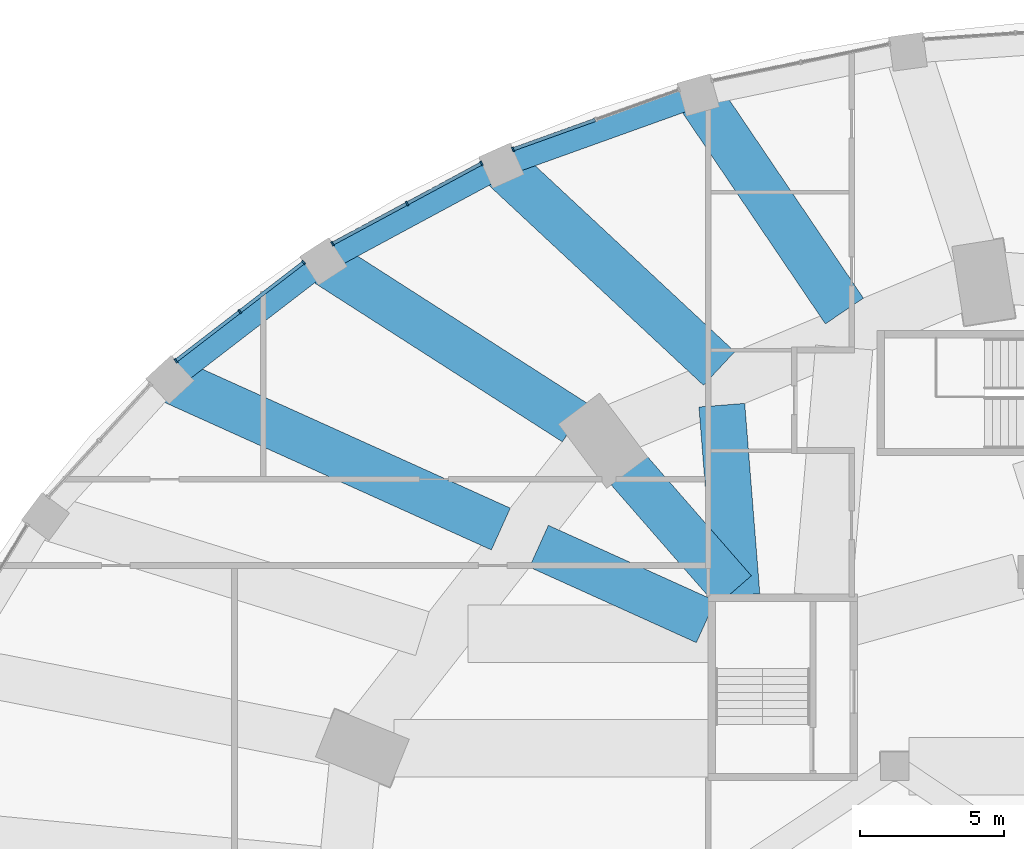
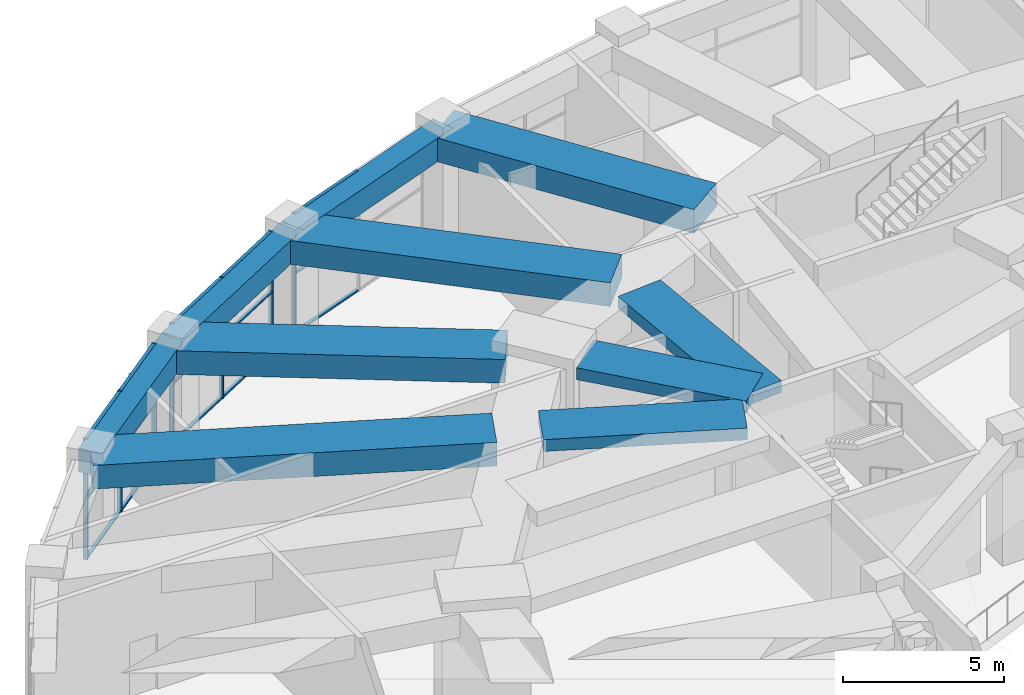
# One storey, part 10 of 32: 22 members, 10 beams, 3 elements without a shape of their own.
"""IFC4 building model written with IfcOpenShell, lengths in metres."""

from ifc_helpers import new_model, si_unit, direction, frame, origin, origin_2d, place, context, subcontext, project, spatial, rectangle, extrude, material, material_profile, profile_set, type_object, element, aggregate, save


model = new_model("IFC4")

# Units and contexts
model_context = context("Model", 3, precision=1e-05, world=origin(), true_north=direction((0.0, 1.0)))
body_context = subcontext(model_context, "Body", "Model", "MODEL_VIEW")
ifc_project = project(units=[si_unit("LENGTHUNIT", "METRE"), si_unit("AREAUNIT", "SQUARE_METRE"), si_unit("VOLUMEUNIT", "CUBIC_METRE"), si_unit("PLANEANGLEUNIT", "RADIAN"), si_unit("MASSUNIT", "GRAM", prefix="KILO")], contexts=[model_context])

# Site, building, storey
site_placement = place(None, origin())
site = spatial("IfcSite", under=ifc_project, at=site_placement, CompositionType="ELEMENT")
building_placement = place(site_placement, origin())
building = spatial("IfcBuilding", under=site, at=building_placement, Name="Taillehof Tower", CompositionType="ELEMENT")
storey_placement = place(building_placement, frame((0.0, 0.0, 7.5)))
storey = spatial("IfcBuildingStorey", under=building, at=storey_placement, Name="L01", CompositionType="ELEMENT", Elevation=7.5)

# Beams
ifc_material_1 = material(Name="Concrete C50/60", Category="concrete")
ifc_material_profile_1 = material_profile(ifc_material_1, rectangle(XDim=0.800048828125, YDim=0.89990234375, at=origin_2d()), Name="RC 800x900")
ifc_profile_set_1 = profile_set([ifc_material_profile_1], Name="Concrete C50/60")
beam_type_1 = type_object("IfcBeamType", Name="Podium edge beam C50/60 800x900", PredefinedType="BEAM", material=ifc_profile_set_1)
beam_1_placement = place(storey_placement, frame((-14.84375, 31.3857421875, 4.139892578125), z_axis=(-0.941227460002, -0.337773398209, 0.0), x_axis=(0.337773398209, -0.941227460002, 0.0)))
element("IfcBeam", 1, at=beam_1_placement, inside=storey, type_object=beam_type_1, Name="Podium edge beam PB12", PredefinedType="BEAM", context=body_context, shape_type="SweptSolid", body=[
    extrude(rectangle(XDim=0.800048828125, YDim=0.89990234375, at=origin_2d()), origin(), (0.0, 0.0, 1.0), 7.284423828125),
])
beam_2_placement = place(storey_placement, frame((-21.699951171875, 28.92529296875, 4.139892578125), z_axis=(-0.880322944269, -0.474374866317, 0.0), x_axis=(0.474374866317, -0.880322944269, 0.0)))
element("IfcBeam", 2, at=beam_2_placement, inside=storey, type_object=beam_type_1, Name="Podium edge beam PB13", PredefinedType="BEAM", context=body_context, shape_type="SweptSolid", body=[
    extrude(rectangle(XDim=0.800048828125, YDim=0.89990234375, at=origin_2d()), origin(), (0.0, 0.0, 1.0), 7.03955078125),
])
beam_3_placement = place(storey_placement, frame((-27.89697265625, 25.5859375, 4.139892578125), z_axis=(-0.79247741179, -0.609901263978, 0.0), x_axis=(0.609901263978, -0.79247741179, 0.0)))
element("IfcBeam", 3, at=beam_3_placement, inside=storey, type_object=beam_type_1, Name="Podium edge beam PB14", PredefinedType="BEAM", context=body_context, shape_type="SweptSolid", body=[
    extrude(rectangle(XDim=0.800048828125, YDim=0.89990234375, at=origin_2d()), origin(), (0.0, 0.0, 1.0), 6.750244140625),
])
ifc_material_2 = material(Name="Concrete C50/60", Category="concrete")
ifc_material_profile_2 = material_profile(ifc_material_2, rectangle(XDim=1.60009765625, YDim=0.89990234375, at=origin_2d()), Name="RC 1600x900")
ifc_profile_set_2 = profile_set([ifc_material_profile_2], Name="Concrete C50/60")
beam_type_2 = type_object("IfcBeamType", Name="Podium radial beam C50/60 1600x900", PredefinedType="BEAM", material=ifc_profile_set_2)
beam_4_placement = place(storey_placement, frame((-14.84375, 31.3857421875, 4.139892578125), z_axis=(0.56038581489, -0.828231693712, 0.0), x_axis=(0.828231693712, 0.56038581489, 0.0)))
element("IfcBeam", 4, at=beam_4_placement, inside=storey, type_object=beam_type_2, Name="Podium radial beam PR12", PredefinedType="BEAM", context=body_context, shape_type="SweptSolid", body=[
    extrude(rectangle(XDim=1.60009765625, YDim=0.89990234375, at=origin_2d()), origin(), (0.0, 0.0, 1.0), 9.085693359375),
])
beam_5_placement = place(storey_placement, frame((-21.699951171875, 28.92529296875, 4.139892578125), z_axis=(0.73163305696, -0.681698665074, 0.0), x_axis=(0.681698665074, 0.73163305696, 0.0)))
element("IfcBeam", 5, at=beam_5_placement, inside=storey, type_object=beam_type_2, Name="Podium radial beam PR13", PredefinedType="BEAM", context=body_context, shape_type="SweptSolid", body=[
    extrude(rectangle(XDim=1.60009765625, YDim=0.89990234375, at=origin_2d()), origin(), (0.0, 0.0, 1.0), 10.365234375),
])
beam_6_placement = place(storey_placement, frame((-27.89697265625, 25.5859375, 4.139892578125), z_axis=(0.841841098356, -0.539725453465, 0.0), x_axis=(0.539725453465, 0.841841098356, 0.0)))
element("IfcBeam", 6, at=beam_6_placement, inside=storey, type_object=beam_type_2, Name="Podium radial beam PR14", PredefinedType="BEAM", context=body_context, shape_type="SweptSolid", body=[
    extrude(rectangle(XDim=1.60009765625, YDim=0.89990234375, at=origin_2d()), origin(), (0.0, 0.0, 1.0), 10.39306640625),
])
beam_7_placement = place(storey_placement, frame((-33.246337890625, 21.468994140625, 4.139892578125), z_axis=(0.911451646907, -0.411407213538, 0.0), x_axis=(0.411407213538, 0.911451646907, 0.0)))
element("IfcBeam", 7, at=beam_7_placement, inside=storey, type_object=beam_type_2, Name="Podium radial beam PR15", PredefinedType="BEAM", context=body_context, shape_type="SweptSolid", body=[
    extrude(rectangle(XDim=1.60009765625, YDim=0.89990234375, at=origin_2d()), origin(), (0.0, 0.0, 1.0), 12.645263671875),
])

# Curtain wall, member
ifc_material_3 = material(Name="Aluminium curtain wall with Clear low-emissivity double glazing", Category="aluminium")
curtain_wall_type = type_object("IfcCurtainWallType", Name="Podium window wall curtain wall", PredefinedType="USERDEFINED", material=ifc_material_3)
curtain_wall_1_placement = place(storey_placement, origin())
curtain_wall_1 = element("IfcCurtainWall", 8, at=curtain_wall_1_placement, inside=storey, type_object=curtain_wall_type, Name="Podium window wall L01 bay 12", ObjectType="WINDOW WALL", PredefinedType="USERDEFINED")
ifc_material_4 = material(Name="Aluminium mullion", Category="aluminium")
ifc_material_profile_3 = material_profile(ifc_material_4, rectangle(XDim=0.159912109375, YDim=0.06005859375, at=origin_2d()), Name="AL 60x160")
ifc_profile_set_3 = profile_set([ifc_material_profile_3], Name="Aluminium mullion")
member_type_1 = type_object("IfcMemberType", Name="Podium window wall mullion 60x160", PredefinedType="MULLION", material=ifc_profile_set_3)
member_1_placement = place(storey_placement, frame((-21.29638671875, 29.4931640625, 0.0), z_axis=(0.0, 0.0, 1.0), x_axis=(0.337798502496, -0.94121845058, 0.0)))
member_1 = element("IfcMember", 9, at=member_1_placement, type_object=member_type_1, Name="CT212 mullion 3", PredefinedType="MULLION", context=body_context, shape_type="SweptSolid", body=[
    extrude(rectangle(XDim=0.159912109375, YDim=0.06005859375, at=origin_2d()), origin(), (0.0, 0.0, 1.0), 4.590087890625),
])

# Curtain wall, members
curtain_wall_2_placement = place(storey_placement, origin())
curtain_wall_2 = element("IfcCurtainWall", 10, at=curtain_wall_2_placement, inside=storey, type_object=curtain_wall_type, Name="Podium window wall L01 bay 13", ObjectType="WINDOW WALL", PredefinedType="USERDEFINED")
member_2_placement = place(storey_placement, frame((-22.392333984375, 29.004638671875, 0.0), z_axis=(0.0, 0.0, 1.0), x_axis=(0.474414781992, -0.880301433958, 0.0)))
member_2 = element("IfcMember", 11, at=member_2_placement, type_object=member_type_1, Name="CT213 mullion 1", PredefinedType="MULLION", context=body_context, shape_type="SweptSolid", body=[
    extrude(rectangle(XDim=0.159912109375, YDim=0.06005859375, at=origin_2d()), origin(), (0.0, 0.0, 1.0), 4.590087890625),
])
member_3_placement = place(storey_placement, frame((-24.98828125, 27.60546875, 0.0), z_axis=(0.0, 0.0, 1.0), x_axis=(0.474414781992, -0.880301433958, 0.0)))
member_3 = element("IfcMember", 12, at=member_3_placement, type_object=member_type_1, Name="CT213 mullion 2", PredefinedType="MULLION", context=body_context, shape_type="SweptSolid", body=[
    extrude(rectangle(XDim=0.159912109375, YDim=0.06005859375, at=origin_2d()), origin(), (0.0, 0.0, 1.0), 4.590087890625),
])
member_4_placement = place(storey_placement, frame((-27.584228515625, 26.20654296875, 0.0), z_axis=(0.0, 0.0, 1.0), x_axis=(0.474414781992, -0.880301433958, 0.0)))
member_4 = element("IfcMember", 13, at=member_4_placement, type_object=member_type_1, Name="CT213 mullion 3", PredefinedType="MULLION", context=body_context, shape_type="SweptSolid", body=[
    extrude(rectangle(XDim=0.159912109375, YDim=0.06005859375, at=origin_2d()), origin(), (0.0, 0.0, 1.0), 4.590087890625),
])

curtain_wall_3_placement = place(storey_placement, origin())
curtain_wall_3 = element("IfcCurtainWall", 14, at=curtain_wall_3_placement, inside=storey, type_object=curtain_wall_type, Name="Podium window wall L01 bay 14", ObjectType="WINDOW WALL", PredefinedType="USERDEFINED")
member_5_placement = place(storey_placement, frame((-28.59130859375, 25.5537109375, 0.0), z_axis=(0.0, 0.0, 1.0), x_axis=(0.60993206075, -0.792453709228, 0.0)))
member_5 = element("IfcMember", 15, at=member_5_placement, type_object=member_type_1, Name="CT214 mullion 1", PredefinedType="MULLION", context=body_context, shape_type="SweptSolid", body=[
    extrude(rectangle(XDim=0.159912109375, YDim=0.06005859375, at=origin_2d()), origin(), (0.0, 0.0, 1.0), 4.590087890625),
])
member_6_placement = place(storey_placement, frame((-30.8154296875, 23.842041015625, 0.0), z_axis=(0.0, 0.0, 1.0), x_axis=(0.60993206075, -0.792453709228, 0.0)))
member_6 = element("IfcMember", 16, at=member_6_placement, type_object=member_type_1, Name="CT214 mullion 2", PredefinedType="MULLION", context=body_context, shape_type="SweptSolid", body=[
    extrude(rectangle(XDim=0.159912109375, YDim=0.06005859375, at=origin_2d()), origin(), (0.0, 0.0, 1.0), 4.590087890625),
])
member_7_placement = place(storey_placement, frame((-33.03955078125, 22.130126953125, 0.0), z_axis=(0.0, 0.0, 1.0), x_axis=(0.60993206075, -0.792453709228, 0.0)))
member_7 = element("IfcMember", 17, at=member_7_placement, type_object=member_type_1, Name="CT214 mullion 3", PredefinedType="MULLION", context=body_context, shape_type="SweptSolid", body=[
    extrude(rectangle(XDim=0.159912109375, YDim=0.06005859375, at=origin_2d()), origin(), (0.0, 0.0, 1.0), 4.590087890625),
])

# Member
ifc_material_5 = material(Name="Aluminium transom", Category="aluminium")
ifc_material_profile_4 = material_profile(ifc_material_5, rectangle(XDim=0.1201171875, YDim=0.06005859375, at=origin_2d()), Name="AL 120x60")
ifc_profile_set_4 = profile_set([ifc_material_profile_4], Name="Aluminium transom")
member_type_2 = type_object("IfcMemberType", Name="Podium window wall transom 120x60", PredefinedType="USERDEFINED", material=ifc_profile_set_4)
member_8_placement = place(storey_placement, frame((-18.435546875, 30.52001953125, 0.030029296875), z_axis=(-0.941215836147, -0.337805787081, 0.0), x_axis=(0.337805787081, -0.941215836147, 0.0)))
member_8 = element("IfcMember", 18, at=member_8_placement, type_object=member_type_2, Name="CT212 transom 2.1", ObjectType="TRANSOM", PredefinedType="USERDEFINED", context=body_context, shape_type="SweptSolid", body=[
    extrude(rectangle(XDim=0.1201171875, YDim=0.06005859375, at=origin_2d()), origin(), (0.0, 0.0, 1.0), 3.009521484375),
])

member_9_placement = place(storey_placement, frame((-18.435546875, 30.52001953125, 2.294921875), z_axis=(-0.941215836147, -0.337805787081, 0.0), x_axis=(0.337805787081, -0.941215836147, 0.0)))
member_9 = element("IfcMember", 19, at=member_9_placement, type_object=member_type_2, Name="CT212 transom 2.2", ObjectType="TRANSOM", PredefinedType="USERDEFINED", context=body_context, shape_type="SweptSolid", body=[
    extrude(rectangle(XDim=0.1201171875, YDim=0.06005859375, at=origin_2d()), origin(), (0.0, 0.0, 1.0), 3.009521484375),
])

member_10_placement = place(storey_placement, frame((-18.435546875, 30.52001953125, 4.56005859375), z_axis=(-0.941215836147, -0.337805787081, 0.0), x_axis=(0.337805787081, -0.941215836147, 0.0)))
member_10 = element("IfcMember", 20, at=member_10_placement, type_object=member_type_2, Name="CT212 transom 2.3", ObjectType="TRANSOM", PredefinedType="USERDEFINED", context=body_context, shape_type="SweptSolid", body=[
    extrude(rectangle(XDim=0.1201171875, YDim=0.06005859375, at=origin_2d()), origin(), (0.0, 0.0, 1.0), 3.009521484375),
])

aggregate(curtain_wall_1, [member_1, member_8, member_9, member_10])

member_11_placement = place(storey_placement, frame((-22.418701171875, 28.990478515625, 0.030029296875), z_axis=(-0.880300092261, -0.474417271571, 0.0), x_axis=(0.474417271571, -0.880300092261, 0.0)))
member_11 = element("IfcMember", 21, at=member_11_placement, type_object=member_type_2, Name="CT213 transom 1.1", ObjectType="TRANSOM", PredefinedType="USERDEFINED", context=body_context, shape_type="SweptSolid", body=[
    extrude(rectangle(XDim=0.1201171875, YDim=0.06005859375, at=origin_2d()), origin(), (0.0, 0.0, 1.0), 2.888916015625),
])

member_12_placement = place(storey_placement, frame((-22.418701171875, 28.990478515625, 2.294921875), z_axis=(-0.880300092261, -0.474417271571, 0.0), x_axis=(0.474417271571, -0.880300092261, 0.0)))
member_12 = element("IfcMember", 22, at=member_12_placement, type_object=member_type_2, Name="CT213 transom 1.2", ObjectType="TRANSOM", PredefinedType="USERDEFINED", context=body_context, shape_type="SweptSolid", body=[
    extrude(rectangle(XDim=0.1201171875, YDim=0.06005859375, at=origin_2d()), origin(), (0.0, 0.0, 1.0), 2.888916015625),
])

member_13_placement = place(storey_placement, frame((-22.418701171875, 28.990478515625, 4.56005859375), z_axis=(-0.880300092261, -0.474417271571, 0.0), x_axis=(0.474417271571, -0.880300092261, 0.0)))
member_13 = element("IfcMember", 23, at=member_13_placement, type_object=member_type_2, Name="CT213 transom 1.3", ObjectType="TRANSOM", PredefinedType="USERDEFINED", context=body_context, shape_type="SweptSolid", body=[
    extrude(rectangle(XDim=0.1201171875, YDim=0.06005859375, at=origin_2d()), origin(), (0.0, 0.0, 1.0), 2.888916015625),
])

member_14_placement = place(storey_placement, frame((-25.014892578125, 27.59130859375, 0.030029296875), z_axis=(-0.880281070202, -0.474452566063, 0.0), x_axis=(0.474452566063, -0.880281070202, 0.0)))
member_14 = element("IfcMember", 24, at=member_14_placement, type_object=member_type_2, Name="CT213 transom 2.1", ObjectType="TRANSOM", PredefinedType="USERDEFINED", context=body_context, shape_type="SweptSolid", body=[
    extrude(rectangle(XDim=0.1201171875, YDim=0.06005859375, at=origin_2d()), origin(), (0.0, 0.0, 1.0), 2.888916015625),
])

member_15_placement = place(storey_placement, frame((-25.014892578125, 27.59130859375, 2.294921875), z_axis=(-0.880281070202, -0.474452566063, 0.0), x_axis=(0.474452566063, -0.880281070202, 0.0)))
member_15 = element("IfcMember", 25, at=member_15_placement, type_object=member_type_2, Name="CT213 transom 2.2", ObjectType="TRANSOM", PredefinedType="USERDEFINED", context=body_context, shape_type="SweptSolid", body=[
    extrude(rectangle(XDim=0.1201171875, YDim=0.06005859375, at=origin_2d()), origin(), (0.0, 0.0, 1.0), 2.888916015625),
])

member_16_placement = place(storey_placement, frame((-25.014892578125, 27.59130859375, 4.56005859375), z_axis=(-0.880281070202, -0.474452566063, 0.0), x_axis=(0.474452566063, -0.880281070202, 0.0)))
member_16 = element("IfcMember", 26, at=member_16_placement, type_object=member_type_2, Name="CT213 transom 2.3", ObjectType="TRANSOM", PredefinedType="USERDEFINED", context=body_context, shape_type="SweptSolid", body=[
    extrude(rectangle(XDim=0.1201171875, YDim=0.06005859375, at=origin_2d()), origin(), (0.0, 0.0, 1.0), 2.888916015625),
])

aggregate(curtain_wall_2, [member_2, member_3, member_4, member_11, member_12, member_13, member_14, member_15, member_16])

member_17_placement = place(storey_placement, frame((-28.614990234375, 25.535400390625, 0.030029296875), z_axis=(-0.792481870823, -0.609895470075, 0.0), x_axis=(0.609895470075, -0.792481870823, 0.0)))
member_17 = element("IfcMember", 27, at=member_17_placement, type_object=member_type_2, Name="CT214 transom 1.1", ObjectType="TRANSOM", PredefinedType="USERDEFINED", context=body_context, shape_type="SweptSolid", body=[
    extrude(rectangle(XDim=0.1201171875, YDim=0.06005859375, at=origin_2d()), origin(), (0.0, 0.0, 1.0), 2.746337890625),
])

member_18_placement = place(storey_placement, frame((-28.614990234375, 25.535400390625, 2.294921875), z_axis=(-0.792481870823, -0.609895470075, 0.0), x_axis=(0.609895470075, -0.792481870823, 0.0)))
member_18 = element("IfcMember", 28, at=member_18_placement, type_object=member_type_2, Name="CT214 transom 1.2", ObjectType="TRANSOM", PredefinedType="USERDEFINED", context=body_context, shape_type="SweptSolid", body=[
    extrude(rectangle(XDim=0.1201171875, YDim=0.06005859375, at=origin_2d()), origin(), (0.0, 0.0, 1.0), 2.746337890625),
])

member_19_placement = place(storey_placement, frame((-28.614990234375, 25.535400390625, 4.56005859375), z_axis=(-0.792481870823, -0.609895470075, 0.0), x_axis=(0.609895470075, -0.792481870823, 0.0)))
member_19 = element("IfcMember", 29, at=member_19_placement, type_object=member_type_2, Name="CT214 transom 1.3", ObjectType="TRANSOM", PredefinedType="USERDEFINED", context=body_context, shape_type="SweptSolid", body=[
    extrude(rectangle(XDim=0.1201171875, YDim=0.06005859375, at=origin_2d()), origin(), (0.0, 0.0, 1.0), 2.746337890625),
])

member_20_placement = place(storey_placement, frame((-30.839111328125, 23.82373046875, 0.030029296875), z_axis=(-0.792438906392, -0.609951292839, 0.0), x_axis=(0.609951292839, -0.792438906392, 0.0)))
member_20 = element("IfcMember", 30, at=member_20_placement, type_object=member_type_2, Name="CT214 transom 2.1", ObjectType="TRANSOM", PredefinedType="USERDEFINED", context=body_context, shape_type="SweptSolid", body=[
    extrude(rectangle(XDim=0.1201171875, YDim=0.06005859375, at=origin_2d()), origin(), (0.0, 0.0, 1.0), 2.74658203125),
])

member_21_placement = place(storey_placement, frame((-30.839111328125, 23.82373046875, 2.294921875), z_axis=(-0.792438906392, -0.609951292839, 0.0), x_axis=(0.609951292839, -0.792438906392, 0.0)))
member_21 = element("IfcMember", 31, at=member_21_placement, type_object=member_type_2, Name="CT214 transom 2.2", ObjectType="TRANSOM", PredefinedType="USERDEFINED", context=body_context, shape_type="SweptSolid", body=[
    extrude(rectangle(XDim=0.1201171875, YDim=0.06005859375, at=origin_2d()), origin(), (0.0, 0.0, 1.0), 2.74658203125),
])

member_22_placement = place(storey_placement, frame((-30.839111328125, 23.82373046875, 4.56005859375), z_axis=(-0.792438906392, -0.609951292839, 0.0), x_axis=(0.609951292839, -0.792438906392, 0.0)))
member_22 = element("IfcMember", 32, at=member_22_placement, type_object=member_type_2, Name="CT214 transom 2.3", ObjectType="TRANSOM", PredefinedType="USERDEFINED", context=body_context, shape_type="SweptSolid", body=[
    extrude(rectangle(XDim=0.1201171875, YDim=0.06005859375, at=origin_2d()), origin(), (0.0, 0.0, 1.0), 2.74658203125),
])

aggregate(curtain_wall_3, [member_5, member_6, member_7, member_17, member_18, member_19, member_20, member_21, member_22])

# Beams
ifc_material_6 = material(Name="Concrete C50/60", Category="concrete")
ifc_material_profile_5 = material_profile(ifc_material_6, rectangle(XDim=1.60009765625, YDim=0.449951171875, at=origin_2d()), Name="RC 1600x450")
ifc_profile_set_5 = profile_set([ifc_material_profile_5], Name="Concrete C50/60")
beam_type_3 = type_object("IfcBeamType", Name="Radial band beam C50/60 1600x450", PredefinedType="BEAM", material=ifc_profile_set_5)
beam_8_placement = place(storey_placement, frame((-14.022705078125, 20.580810546875, 4.364990234375), z_axis=(0.079171881643, -0.996860979855, 0.0), x_axis=(0.996860979855, 0.079171881643, 0.0)))
element("IfcBeam", 33, at=beam_8_placement, inside=storey, type_object=beam_type_3, Name="Radial band beam RB13", PredefinedType="BEAM", context=body_context, shape_type="SweptSolid", body=[
    extrude(rectangle(XDim=1.60009765625, YDim=0.449951171875, at=origin_2d()), origin(), (0.0, 0.0, 1.0), 6.651611328125),
])
beam_9_placement = place(storey_placement, frame((-17.275146484375, 18.329345703125, 4.364990234375), z_axis=(0.657212129722, -0.753705656438, 0.0), x_axis=(0.753705656438, 0.657212129722, 0.0)))
element("IfcBeam", 34, at=beam_9_placement, inside=storey, type_object=beam_type_3, Name="Radial band beam RB14", PredefinedType="BEAM", context=body_context, shape_type="SweptSolid", body=[
    extrude(rectangle(XDim=1.60009765625, YDim=0.449951171875, at=origin_2d()), origin(), (0.0, 0.0, 1.0), 5.593994140625),
])
beam_10_placement = place(storey_placement, frame((-20.395263671875, 15.6669921875, 4.364990234375), z_axis=(0.911103818844, -0.412176941724, 0.0), x_axis=(0.412176941724, 0.911103818844, 0.0)))
element("IfcBeam", 35, at=beam_10_placement, inside=storey, type_object=beam_type_3, Name="Radial band beam RB15", PredefinedType="BEAM", context=body_context, shape_type="SweptSolid", body=[
    extrude(rectangle(XDim=1.60009765625, YDim=0.449951171875, at=origin_2d()), origin(), (0.0, 0.0, 1.0), 6.3828125),
])

save(model, "model.ifc")
